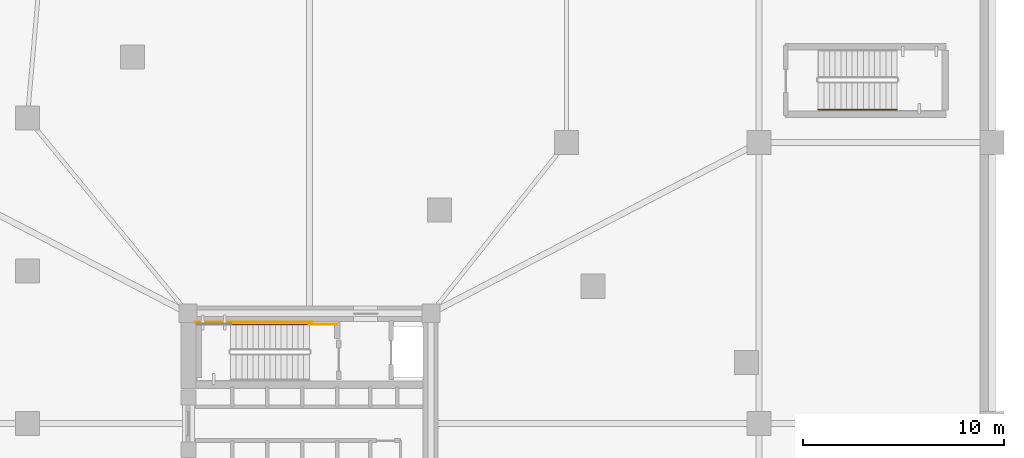
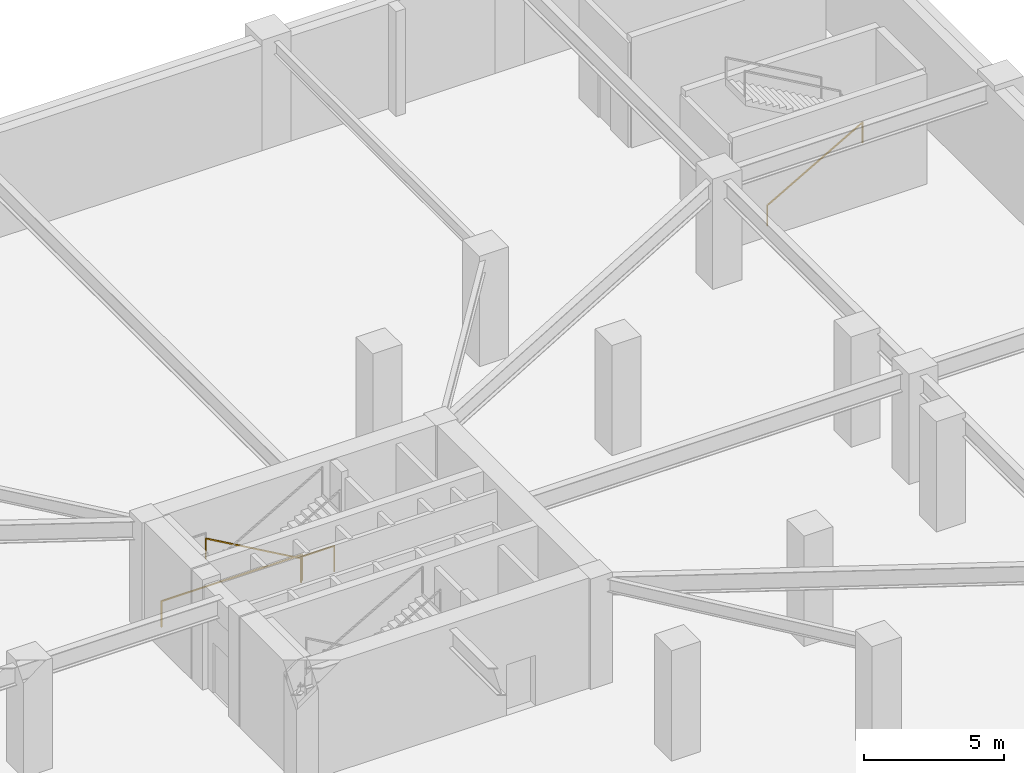
# One storey, part 12 of 13: 4 railings.
"""IFC4 building model written with IfcOpenShell, lengths in metres."""

from ifc_helpers import new_model, si_unit, direction, frame, origin, origin_2d, place, context, subcontext, project, spatial, rectangle, extrude, material, type_object, element, save


model = new_model("IFC4")

# Units and contexts
model_context = context("Model", 3, precision=1e-05, world=origin(), true_north=direction((0.0, 1.0)))
body_context = subcontext(model_context, "Body", "Model", "MODEL_VIEW")
ifc_project = project(units=[si_unit("LENGTHUNIT", "METRE"), si_unit("AREAUNIT", "SQUARE_METRE"), si_unit("VOLUMEUNIT", "CUBIC_METRE"), si_unit("PLANEANGLEUNIT", "RADIAN"), si_unit("MASSUNIT", "GRAM", prefix="KILO")], contexts=[model_context])

# Site, building, storey
site_placement = place(None, origin())
site = spatial("IfcSite", under=ifc_project, at=site_placement, CompositionType="ELEMENT")
building_placement = place(site_placement, origin())
building = spatial("IfcBuilding", under=site, at=building_placement, Name="Yunling Apex Tower", CompositionType="ELEMENT")
storey_placement = place(building_placement, frame((0.0, 0.0, -4.800048828125)))
storey = spatial("IfcBuildingStorey", under=building, at=storey_placement, Name="B01", CompositionType="ELEMENT", Elevation=-4.800048828125)

# Railings
ifc_material_1 = material(Name="Steel Q355B", Category="steel")
railing_type_1 = type_object("IfcRailingType", Name="RL-GRD-1150", PredefinedType="GUARDRAIL", material=ifc_material_1)
railing_1_placement = place(storey_placement, frame((1.35009765625, 4.9599609375, 0.0)))
element("IfcRailing", 1, at=railing_1_placement, inside=storey, type_object=railing_type_1, Name="B01 ST-1 stair guard 6", PredefinedType="GUARDRAIL", context=body_context, shape_type="SweptSolid", body=[
    extrude(rectangle(XDim=0.0439453125, YDim=0.0439453125, at=origin_2d()), origin(), (0.0, 0.0, 1.0), 1.14990234375),
    extrude(rectangle(XDim=0.0439453125, YDim=0.0439453125, at=origin_2d()), frame((-1.360107421875, 0.0, 0.0)), (0.0, 0.0, 1.0), 1.14990234375),
    extrude(rectangle(XDim=0.050048828125, YDim=0.050048828125, at=origin_2d()), frame((-0.038330078125, 0.0, 1.125), z_axis=(-1.0, 0.0, 0.0), x_axis=(0.0, -1.0, 0.0)), (0.0, 0.0, 1.0), 1.283447265625),
])
railing_2_placement = place(storey_placement, frame((0.090087890625, 5.06005859375, 0.0)))
element("IfcRailing", 2, at=railing_2_placement, inside=storey, type_object=railing_type_1, Name="B01 ST-1 stair guard 7", PredefinedType="GUARDRAIL", context=body_context, shape_type="SweptSolid", body=[
    extrude(rectangle(XDim=0.0439453125, YDim=0.0439453125, at=origin_2d()), origin(), (0.0, 0.0, 1.0), 1.14990234375),
    extrude(rectangle(XDim=0.0439453125, YDim=0.0439453125, at=origin_2d()), frame((-5.7900390625, 0.0, 0.0)), (0.0, 0.0, 1.0), 1.14990234375),
    extrude(rectangle(XDim=0.050048828125, YDim=0.050048828125, at=origin_2d()), frame((-0.038330078125, 0.0, 1.125), z_axis=(-1.0, 0.0, 0.0), x_axis=(0.0, -1.0, 0.0)), (0.0, 0.0, 1.0), 5.71337890625),
])
ifc_material_2 = material(Name="Silver anodised aluminium", Category="aluminium")
railing_type_2 = type_object("IfcRailingType", Name="RL-HND-900", PredefinedType="HANDRAIL", material=ifc_material_2)
railing_3_placement = place(storey_placement, frame((-0.010009765625, 4.9599609375, 0.16015625)))
element("IfcRailing", 3, at=railing_3_placement, inside=storey, type_object=railing_type_2, Name="B01 ST-1 stair handrail 1", PredefinedType="HANDRAIL", context=body_context, shape_type="SweptSolid", body=[
    extrude(rectangle(XDim=0.0439453125, YDim=0.0439453125, at=origin_2d()), origin(), (0.0, 0.0, 1.0), 0.919921875),
    extrude(rectangle(XDim=0.0439453125, YDim=0.0439453125, at=origin_2d()), frame((-3.919921875, 0.0, 2.239990234375)), (0.0, 0.0, 1.0), 0.919921875),
    extrude(rectangle(XDim=0.050048828125, YDim=0.050048828125, at=origin_2d()), frame((-0.033203125, 0.0, 0.913818359375), z_axis=(-0.868239814368, 0.0, 0.496144761885), x_axis=(0.0, -1.0, 0.0)), (0.0, 0.0, 1.0), 4.438232421875),
])
railing_4_placement = place(storey_placement, frame((25.35009765625, 15.64990234375, 0.16015625)))
element("IfcRailing", 4, at=railing_4_placement, inside=storey, type_object=railing_type_2, Name="B01 ST-P2 stair handrail 1", PredefinedType="HANDRAIL", context=body_context, shape_type="SweptSolid", body=[
    extrude(rectangle(XDim=0.0439453125, YDim=0.0439453125, at=origin_2d()), origin(), (0.0, 0.0, 1.0), 0.919921875),
    extrude(rectangle(XDim=0.0439453125, YDim=0.0439453125, at=origin_2d()), frame((3.919921875, 0.0, 2.239990234375)), (0.0, 0.0, 1.0), 0.919921875),
    extrude(rectangle(XDim=0.050048828125, YDim=0.050048828125, at=origin_2d()), frame((0.033203125, 0.0, 0.913818359375), z_axis=(0.868239814368, 0.0, 0.496144761885), x_axis=(0.0, 1.0, 0.0)), (0.0, 0.0, 1.0), 4.438232421875),
])

save(model, "model.ifc")
